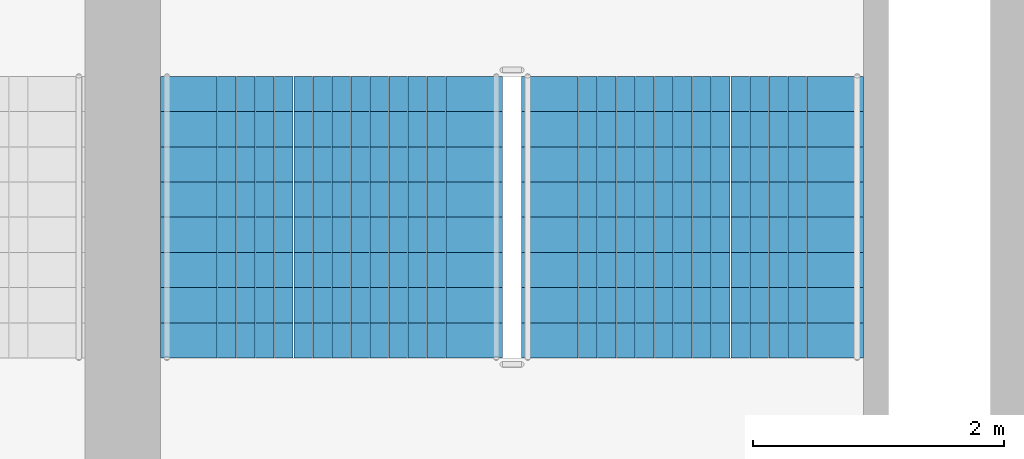
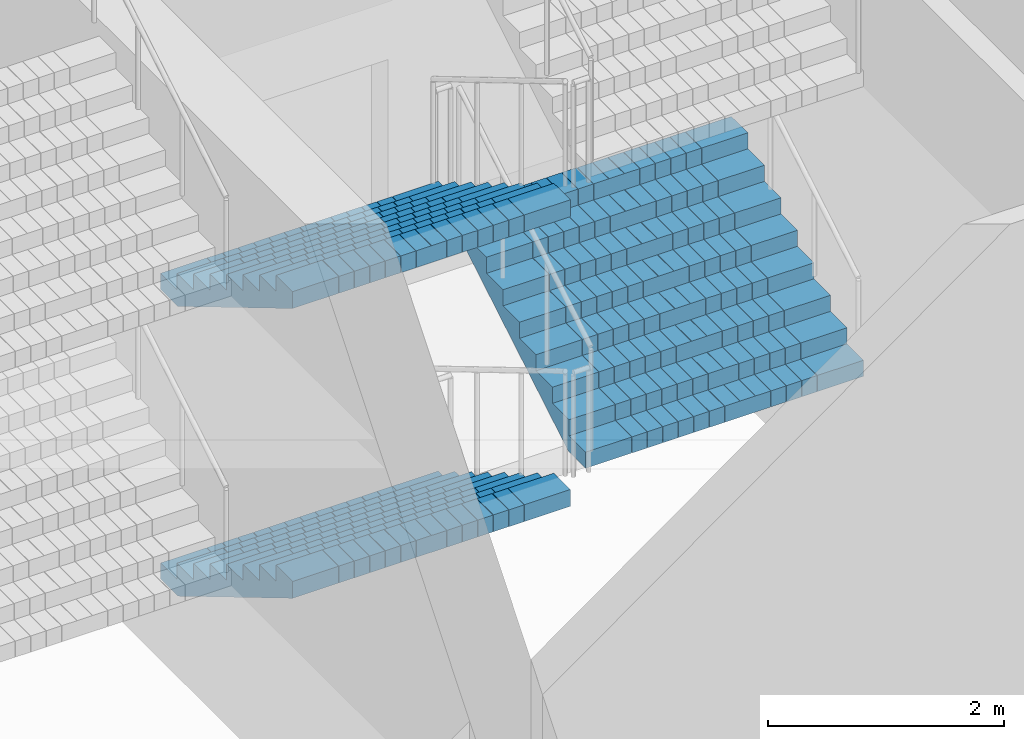
# One storey, part 27 of 43: 3 stair flights, 1 element without a shape of its own.
"""IFC4 building model written with IfcOpenShell, lengths in metres."""

from ifc_helpers import new_model, si_unit, direction, frame, origin, place, context, subcontext, project, spatial, polyline, outline, extrude, material, type_object, element, aggregate, save


model = new_model("IFC4")

# Units and contexts
model_context = context("Model", 3, precision=1e-05, world=origin(), true_north=direction((0.0, 1.0)))
body_context = subcontext(model_context, "Body", "Model", "MODEL_VIEW")
ifc_project = project(units=[si_unit("LENGTHUNIT", "METRE"), si_unit("AREAUNIT", "SQUARE_METRE"), si_unit("VOLUMEUNIT", "CUBIC_METRE"), si_unit("PLANEANGLEUNIT", "RADIAN"), si_unit("MASSUNIT", "GRAM", prefix="KILO")], contexts=[model_context])

# Site, building, storey
site_placement = place(None, origin())
site = spatial("IfcSite", under=ifc_project, at=site_placement, CompositionType="ELEMENT")
building_placement = place(site_placement, origin())
building = spatial("IfcBuilding", under=site, at=building_placement, Name="Corbelhall Arena Tower", CompositionType="ELEMENT")
storey_placement = place(building_placement, frame((0.0, 0.0, 25.0)))
storey = spatial("IfcBuildingStorey", under=building, at=storey_placement, Name="L03", CompositionType="ELEMENT", Elevation=25.0)

# Stair, stair flights
ifc_material = material(Name="Reinforced concrete C40/50", Category="concrete")
stair_type = type_object("IfcStairType", Name="AR-EXIT-STAIR", PredefinedType="HALF_TURN_STAIR", material=ifc_material)
stair_placement = place(storey_placement, origin())
stair = element("IfcStair", 1, at=stair_placement, inside=storey, type_object=stair_type, Name="L03 exit stair AS6", PredefinedType="HALF_TURN_STAIR")
stair_flight_type = type_object("IfcStairFlightType", Name="AR-EXIT-FLIGHT", PredefinedType="STRAIGHT", material=ifc_material)
stair_flight_1_placement = place(storey_placement, frame((42.159912109375, -27.320068359375, 0.0), z_axis=(0.0, 0.0, 1.0), x_axis=(0.0, -1.0, 0.0)))
stair_flight_1 = element("IfcStairFlight", 2, at=stair_flight_1_placement, type_object=stair_flight_type, Name="AS6 flight 1", NumberOfRisers=9, NumberOfTreads=8, PredefinedType="STRAIGHT", RiserHeight=0.166666667, TreadLength=0.28, context=body_context, shape_type="SweptSolid", body=[
    extrude(outline(polyline([(0.0, 0.0), (0.0, 0.166748046875), (0.280029296875, 0.166748046875), (0.280029296875, 0.333251953125), (0.56005859375, 0.333251953125), (0.56005859375, 0.5), (0.840087890625, 0.5), (0.840087890625, 0.666748046875), (1.1201171875, 0.666748046875), (1.1201171875, 0.833251953125), (1.39990234375, 0.833251953125), (1.39990234375, 1.0), (1.679931640625, 1.0), (1.679931640625, 1.166748046875), (1.9599609375, 1.166748046875), (1.9599609375, 1.333251953125), (2.239990234375, 1.333251953125), (2.239990234375, 1.5), (2.239990234375, 1.158935546875), (0.29296875, 0.0), (0.0, 0.0)])), frame((0.0, 1.35986328125, 0.0), z_axis=(0.0, -1.0, 0.0), x_axis=(1.0, 0.0, 0.0)), (0.0, 0.0, 1.0), 0.449951171875),
    extrude(outline(polyline([(0.0, 0.0), (0.0, 0.166748046875), (0.280029296875, 0.166748046875), (0.280029296875, 0.333251953125), (0.56005859375, 0.333251953125), (0.56005859375, 0.5), (0.840087890625, 0.5), (0.840087890625, 0.666748046875), (1.1201171875, 0.666748046875), (1.1201171875, 0.833251953125), (1.39990234375, 0.833251953125), (1.39990234375, 1.0), (1.679931640625, 1.0), (1.679931640625, 1.166748046875), (1.9599609375, 1.166748046875), (1.9599609375, 1.333251953125), (2.239990234375, 1.333251953125), (2.239990234375, 1.5), (2.239990234375, 1.158935546875), (0.29296875, 0.0), (0.0, 0.0)])), frame((0.0, 0.906005859375, 0.0), z_axis=(0.0, -1.0, 0.0), x_axis=(1.0, 0.0, 0.0)), (0.0, 0.0, 1.0), 0.147216796875),
    extrude(outline(polyline([(0.0, 0.0), (0.0, 0.166748046875), (0.280029296875, 0.166748046875), (0.280029296875, 0.333251953125), (0.56005859375, 0.333251953125), (0.56005859375, 0.5), (0.840087890625, 0.5), (0.840087890625, 0.666748046875), (1.1201171875, 0.666748046875), (1.1201171875, 0.833251953125), (1.39990234375, 0.833251953125), (1.39990234375, 1.0), (1.679931640625, 1.0), (1.679931640625, 1.166748046875), (1.9599609375, 1.166748046875), (1.9599609375, 1.333251953125), (2.239990234375, 1.333251953125), (2.239990234375, 1.5), (2.239990234375, 1.158935546875), (0.29296875, 0.0), (0.0, 0.0)])), frame((0.0, 0.754638671875, 0.0), z_axis=(0.0, -1.0, 0.0), x_axis=(1.0, 0.0, 0.0)), (0.0, 0.0, 1.0), 0.147216796875),
    extrude(outline(polyline([(0.0, 0.0), (0.0, 0.166748046875), (0.280029296875, 0.166748046875), (0.280029296875, 0.333251953125), (0.56005859375, 0.333251953125), (0.56005859375, 0.5), (0.840087890625, 0.5), (0.840087890625, 0.666748046875), (1.1201171875, 0.666748046875), (1.1201171875, 0.833251953125), (1.39990234375, 0.833251953125), (1.39990234375, 1.0), (1.679931640625, 1.0), (1.679931640625, 1.166748046875), (1.9599609375, 1.166748046875), (1.9599609375, 1.333251953125), (2.239990234375, 1.333251953125), (2.239990234375, 1.5), (2.239990234375, 1.158935546875), (0.29296875, 0.0), (0.0, 0.0)])), frame((0.0, 0.603271484375, 0.0), z_axis=(0.0, -1.0, 0.0), x_axis=(1.0, 0.0, 0.0)), (0.0, 0.0, 1.0), 0.147216796875),
    extrude(outline(polyline([(0.0, 0.0), (0.0, 0.166748046875), (0.280029296875, 0.166748046875), (0.280029296875, 0.333251953125), (0.56005859375, 0.333251953125), (0.56005859375, 0.5), (0.840087890625, 0.5), (0.840087890625, 0.666748046875), (1.1201171875, 0.666748046875), (1.1201171875, 0.833251953125), (1.39990234375, 0.833251953125), (1.39990234375, 1.0), (1.679931640625, 1.0), (1.679931640625, 1.166748046875), (1.9599609375, 1.166748046875), (1.9599609375, 1.333251953125), (2.239990234375, 1.333251953125), (2.239990234375, 1.5), (2.239990234375, 1.158935546875), (0.29296875, 0.0), (0.0, 0.0)])), frame((0.0, 0.451904296875, 0.0), z_axis=(0.0, -1.0, 0.0), x_axis=(1.0, 0.0, 0.0)), (0.0, 0.0, 1.0), 0.147216796875),
    extrude(outline(polyline([(0.0, 0.0), (0.0, 0.166748046875), (0.280029296875, 0.166748046875), (0.280029296875, 0.333251953125), (0.56005859375, 0.333251953125), (0.56005859375, 0.5), (0.840087890625, 0.5), (0.840087890625, 0.666748046875), (1.1201171875, 0.666748046875), (1.1201171875, 0.833251953125), (1.39990234375, 0.833251953125), (1.39990234375, 1.0), (1.679931640625, 1.0), (1.679931640625, 1.166748046875), (1.9599609375, 1.166748046875), (1.9599609375, 1.333251953125), (2.239990234375, 1.333251953125), (2.239990234375, 1.5), (2.239990234375, 1.158935546875), (0.29296875, 0.0), (0.0, 0.0)])), frame((0.0, 0.30078125, 0.0), z_axis=(0.0, -1.0, 0.0), x_axis=(1.0, 0.0, 0.0)), (0.0, 0.0, 1.0), 0.147216796875),
    extrude(outline(polyline([(0.0, 0.0), (0.0, 0.166748046875), (0.280029296875, 0.166748046875), (0.280029296875, 0.333251953125), (0.56005859375, 0.333251953125), (0.56005859375, 0.5), (0.840087890625, 0.5), (0.840087890625, 0.666748046875), (1.1201171875, 0.666748046875), (1.1201171875, 0.833251953125), (1.39990234375, 0.833251953125), (1.39990234375, 1.0), (1.679931640625, 1.0), (1.679931640625, 1.166748046875), (1.9599609375, 1.166748046875), (1.9599609375, 1.333251953125), (2.239990234375, 1.333251953125), (2.239990234375, 1.5), (2.239990234375, 1.158935546875), (0.29296875, 0.0), (0.0, 0.0)])), frame((0.0, 0.1494140625, 0.0), z_axis=(0.0, -1.0, 0.0), x_axis=(1.0, 0.0, 0.0)), (0.0, 0.0, 1.0), 0.147216796875),
    extrude(outline(polyline([(0.0, 0.0), (0.0, 0.166748046875), (0.280029296875, 0.166748046875), (0.280029296875, 0.333251953125), (0.56005859375, 0.333251953125), (0.56005859375, 0.5), (0.840087890625, 0.5), (0.840087890625, 0.666748046875), (1.1201171875, 0.666748046875), (1.1201171875, 0.833251953125), (1.39990234375, 0.833251953125), (1.39990234375, 1.0), (1.679931640625, 1.0), (1.679931640625, 1.166748046875), (1.9599609375, 1.166748046875), (1.9599609375, 1.333251953125), (2.239990234375, 1.333251953125), (2.239990234375, 1.5), (2.239990234375, 1.158935546875), (0.29296875, 0.0), (0.0, 0.0)])), frame((0.0, -0.001953125, 0.0), z_axis=(0.0, -1.0, 0.0), x_axis=(1.0, 0.0, 0.0)), (0.0, 0.0, 1.0), 0.147216796875),
    extrude(outline(polyline([(0.0, 0.0), (0.0, 0.166748046875), (0.280029296875, 0.166748046875), (0.280029296875, 0.333251953125), (0.56005859375, 0.333251953125), (0.56005859375, 0.5), (0.840087890625, 0.5), (0.840087890625, 0.666748046875), (1.1201171875, 0.666748046875), (1.1201171875, 0.833251953125), (1.39990234375, 0.833251953125), (1.39990234375, 1.0), (1.679931640625, 1.0), (1.679931640625, 1.166748046875), (1.9599609375, 1.166748046875), (1.9599609375, 1.333251953125), (2.239990234375, 1.333251953125), (2.239990234375, 1.5), (2.239990234375, 1.158935546875), (0.29296875, 0.0), (0.0, 0.0)])), frame((0.0, -0.1533203125, 0.0), z_axis=(0.0, -1.0, 0.0), x_axis=(1.0, 0.0, 0.0)), (0.0, 0.0, 1.0), 0.147216796875),
    extrude(outline(polyline([(0.0, 0.0), (0.0, 0.166748046875), (0.280029296875, 0.166748046875), (0.280029296875, 0.333251953125), (0.56005859375, 0.333251953125), (0.56005859375, 0.5), (0.840087890625, 0.5), (0.840087890625, 0.666748046875), (1.1201171875, 0.666748046875), (1.1201171875, 0.833251953125), (1.39990234375, 0.833251953125), (1.39990234375, 1.0), (1.679931640625, 1.0), (1.679931640625, 1.166748046875), (1.9599609375, 1.166748046875), (1.9599609375, 1.333251953125), (2.239990234375, 1.333251953125), (2.239990234375, 1.5), (2.239990234375, 1.158935546875), (0.29296875, 0.0), (0.0, 0.0)])), frame((0.0, -0.3046875, 0.0), z_axis=(0.0, -1.0, 0.0), x_axis=(1.0, 0.0, 0.0)), (0.0, 0.0, 1.0), 0.147216796875),
    extrude(outline(polyline([(0.0, 0.0), (0.0, 0.166748046875), (0.280029296875, 0.166748046875), (0.280029296875, 0.333251953125), (0.56005859375, 0.333251953125), (0.56005859375, 0.5), (0.840087890625, 0.5), (0.840087890625, 0.666748046875), (1.1201171875, 0.666748046875), (1.1201171875, 0.833251953125), (1.39990234375, 0.833251953125), (1.39990234375, 1.0), (1.679931640625, 1.0), (1.679931640625, 1.166748046875), (1.9599609375, 1.166748046875), (1.9599609375, 1.333251953125), (2.239990234375, 1.333251953125), (2.239990234375, 1.5), (2.239990234375, 1.158935546875), (0.29296875, 0.0), (0.0, 0.0)])), frame((0.0, -0.4560546875, 0.0), z_axis=(0.0, -1.0, 0.0), x_axis=(1.0, 0.0, 0.0)), (0.0, 0.0, 1.0), 0.147216796875),
    extrude(outline(polyline([(0.0, 0.0), (0.0, 0.166748046875), (0.280029296875, 0.166748046875), (0.280029296875, 0.333251953125), (0.56005859375, 0.333251953125), (0.56005859375, 0.5), (0.840087890625, 0.5), (0.840087890625, 0.666748046875), (1.1201171875, 0.666748046875), (1.1201171875, 0.833251953125), (1.39990234375, 0.833251953125), (1.39990234375, 1.0), (1.679931640625, 1.0), (1.679931640625, 1.166748046875), (1.9599609375, 1.166748046875), (1.9599609375, 1.333251953125), (2.239990234375, 1.333251953125), (2.239990234375, 1.5), (2.239990234375, 1.158935546875), (0.29296875, 0.0), (0.0, 0.0)])), frame((0.0, -0.607421875, 0.0), z_axis=(0.0, -1.0, 0.0), x_axis=(1.0, 0.0, 0.0)), (0.0, 0.0, 1.0), 0.147216796875),
    extrude(outline(polyline([(0.0, 0.0), (0.0, 0.166748046875), (0.280029296875, 0.166748046875), (0.280029296875, 0.333251953125), (0.56005859375, 0.333251953125), (0.56005859375, 0.5), (0.840087890625, 0.5), (0.840087890625, 0.666748046875), (1.1201171875, 0.666748046875), (1.1201171875, 0.833251953125), (1.39990234375, 0.833251953125), (1.39990234375, 1.0), (1.679931640625, 1.0), (1.679931640625, 1.166748046875), (1.9599609375, 1.166748046875), (1.9599609375, 1.333251953125), (2.239990234375, 1.333251953125), (2.239990234375, 1.5), (2.239990234375, 1.158935546875), (0.29296875, 0.0), (0.0, 0.0)])), frame((0.0, -0.758544921875, 0.0), z_axis=(0.0, -1.0, 0.0), x_axis=(1.0, 0.0, 0.0)), (0.0, 0.0, 1.0), 0.147216796875),
    extrude(outline(polyline([(0.0, 0.0), (0.0, 0.166748046875), (0.280029296875, 0.166748046875), (0.280029296875, 0.333251953125), (0.56005859375, 0.333251953125), (0.56005859375, 0.5), (0.840087890625, 0.5), (0.840087890625, 0.666748046875), (1.1201171875, 0.666748046875), (1.1201171875, 0.833251953125), (1.39990234375, 0.833251953125), (1.39990234375, 1.0), (1.679931640625, 1.0), (1.679931640625, 1.166748046875), (1.9599609375, 1.166748046875), (1.9599609375, 1.333251953125), (2.239990234375, 1.333251953125), (2.239990234375, 1.5), (2.239990234375, 1.158935546875), (0.29296875, 0.0), (0.0, 0.0)])), frame((0.0, -0.909912109375, 0.0), z_axis=(0.0, -1.0, 0.0), x_axis=(1.0, 0.0, 0.0)), (0.0, 0.0, 1.0), 0.449951171875),
])
stair_flight_2_placement = place(storey_placement, frame((45.030029296875, -29.56005859375, 1.5), z_axis=(0.0, 0.0, 1.0), x_axis=(0.0, 1.0, 0.0)))
stair_flight_2 = element("IfcStairFlight", 3, at=stair_flight_2_placement, type_object=stair_flight_type, Name="AS6 flight 2", NumberOfRisers=9, NumberOfTreads=8, PredefinedType="STRAIGHT", RiserHeight=0.166666667, TreadLength=0.28, context=body_context, shape_type="SweptSolid", body=[
    extrude(outline(polyline([(0.0, 0.0), (0.0, 0.166748046875), (0.280029296875, 0.166748046875), (0.280029296875, 0.333251953125), (0.56005859375, 0.333251953125), (0.56005859375, 0.5), (0.840087890625, 0.5), (0.840087890625, 0.666748046875), (1.1201171875, 0.666748046875), (1.1201171875, 0.833251953125), (1.39990234375, 0.833251953125), (1.39990234375, 1.0), (1.679931640625, 1.0), (1.679931640625, 1.166748046875), (1.9599609375, 1.166748046875), (1.9599609375, 1.333251953125), (2.239990234375, 1.333251953125), (2.239990234375, 1.5), (2.239990234375, 1.158935546875), (0.29296875, 0.0), (0.0, 0.0)])), frame((0.0, 1.35986328125, 0.0), z_axis=(0.0, -1.0, 0.0), x_axis=(1.0, 0.0, 0.0)), (0.0, 0.0, 1.0), 0.449951171875),
    extrude(outline(polyline([(0.0, 0.0), (0.0, 0.166748046875), (0.280029296875, 0.166748046875), (0.280029296875, 0.333251953125), (0.56005859375, 0.333251953125), (0.56005859375, 0.5), (0.840087890625, 0.5), (0.840087890625, 0.666748046875), (1.1201171875, 0.666748046875), (1.1201171875, 0.833251953125), (1.39990234375, 0.833251953125), (1.39990234375, 1.0), (1.679931640625, 1.0), (1.679931640625, 1.166748046875), (1.9599609375, 1.166748046875), (1.9599609375, 1.333251953125), (2.239990234375, 1.333251953125), (2.239990234375, 1.5), (2.239990234375, 1.158935546875), (0.29296875, 0.0), (0.0, 0.0)])), frame((0.0, 0.906005859375, 0.0), z_axis=(0.0, -1.0, 0.0), x_axis=(1.0, 0.0, 0.0)), (0.0, 0.0, 1.0), 0.147216796875),
    extrude(outline(polyline([(0.0, 0.0), (0.0, 0.166748046875), (0.280029296875, 0.166748046875), (0.280029296875, 0.333251953125), (0.56005859375, 0.333251953125), (0.56005859375, 0.5), (0.840087890625, 0.5), (0.840087890625, 0.666748046875), (1.1201171875, 0.666748046875), (1.1201171875, 0.833251953125), (1.39990234375, 0.833251953125), (1.39990234375, 1.0), (1.679931640625, 1.0), (1.679931640625, 1.166748046875), (1.9599609375, 1.166748046875), (1.9599609375, 1.333251953125), (2.239990234375, 1.333251953125), (2.239990234375, 1.5), (2.239990234375, 1.158935546875), (0.29296875, 0.0), (0.0, 0.0)])), frame((0.0, 0.754638671875, 0.0), z_axis=(0.0, -1.0, 0.0), x_axis=(1.0, 0.0, 0.0)), (0.0, 0.0, 1.0), 0.147216796875),
    extrude(outline(polyline([(0.0, 0.0), (0.0, 0.166748046875), (0.280029296875, 0.166748046875), (0.280029296875, 0.333251953125), (0.56005859375, 0.333251953125), (0.56005859375, 0.5), (0.840087890625, 0.5), (0.840087890625, 0.666748046875), (1.1201171875, 0.666748046875), (1.1201171875, 0.833251953125), (1.39990234375, 0.833251953125), (1.39990234375, 1.0), (1.679931640625, 1.0), (1.679931640625, 1.166748046875), (1.9599609375, 1.166748046875), (1.9599609375, 1.333251953125), (2.239990234375, 1.333251953125), (2.239990234375, 1.5), (2.239990234375, 1.158935546875), (0.29296875, 0.0), (0.0, 0.0)])), frame((0.0, 0.603271484375, 0.0), z_axis=(0.0, -1.0, 0.0), x_axis=(1.0, 0.0, 0.0)), (0.0, 0.0, 1.0), 0.147216796875),
    extrude(outline(polyline([(0.0, 0.0), (0.0, 0.166748046875), (0.280029296875, 0.166748046875), (0.280029296875, 0.333251953125), (0.56005859375, 0.333251953125), (0.56005859375, 0.5), (0.840087890625, 0.5), (0.840087890625, 0.666748046875), (1.1201171875, 0.666748046875), (1.1201171875, 0.833251953125), (1.39990234375, 0.833251953125), (1.39990234375, 1.0), (1.679931640625, 1.0), (1.679931640625, 1.166748046875), (1.9599609375, 1.166748046875), (1.9599609375, 1.333251953125), (2.239990234375, 1.333251953125), (2.239990234375, 1.5), (2.239990234375, 1.158935546875), (0.29296875, 0.0), (0.0, 0.0)])), frame((0.0, 0.451904296875, 0.0), z_axis=(0.0, -1.0, 0.0), x_axis=(1.0, 0.0, 0.0)), (0.0, 0.0, 1.0), 0.147216796875),
    extrude(outline(polyline([(0.0, 0.0), (0.0, 0.166748046875), (0.280029296875, 0.166748046875), (0.280029296875, 0.333251953125), (0.56005859375, 0.333251953125), (0.56005859375, 0.5), (0.840087890625, 0.5), (0.840087890625, 0.666748046875), (1.1201171875, 0.666748046875), (1.1201171875, 0.833251953125), (1.39990234375, 0.833251953125), (1.39990234375, 1.0), (1.679931640625, 1.0), (1.679931640625, 1.166748046875), (1.9599609375, 1.166748046875), (1.9599609375, 1.333251953125), (2.239990234375, 1.333251953125), (2.239990234375, 1.5), (2.239990234375, 1.158935546875), (0.29296875, 0.0), (0.0, 0.0)])), frame((0.0, 0.30078125, 0.0), z_axis=(0.0, -1.0, 0.0), x_axis=(1.0, 0.0, 0.0)), (0.0, 0.0, 1.0), 0.147216796875),
    extrude(outline(polyline([(0.0, 0.0), (0.0, 0.166748046875), (0.280029296875, 0.166748046875), (0.280029296875, 0.333251953125), (0.56005859375, 0.333251953125), (0.56005859375, 0.5), (0.840087890625, 0.5), (0.840087890625, 0.666748046875), (1.1201171875, 0.666748046875), (1.1201171875, 0.833251953125), (1.39990234375, 0.833251953125), (1.39990234375, 1.0), (1.679931640625, 1.0), (1.679931640625, 1.166748046875), (1.9599609375, 1.166748046875), (1.9599609375, 1.333251953125), (2.239990234375, 1.333251953125), (2.239990234375, 1.5), (2.239990234375, 1.158935546875), (0.29296875, 0.0), (0.0, 0.0)])), frame((0.0, 0.1494140625, 0.0), z_axis=(0.0, -1.0, 0.0), x_axis=(1.0, 0.0, 0.0)), (0.0, 0.0, 1.0), 0.147216796875),
    extrude(outline(polyline([(0.0, 0.0), (0.0, 0.166748046875), (0.280029296875, 0.166748046875), (0.280029296875, 0.333251953125), (0.56005859375, 0.333251953125), (0.56005859375, 0.5), (0.840087890625, 0.5), (0.840087890625, 0.666748046875), (1.1201171875, 0.666748046875), (1.1201171875, 0.833251953125), (1.39990234375, 0.833251953125), (1.39990234375, 1.0), (1.679931640625, 1.0), (1.679931640625, 1.166748046875), (1.9599609375, 1.166748046875), (1.9599609375, 1.333251953125), (2.239990234375, 1.333251953125), (2.239990234375, 1.5), (2.239990234375, 1.158935546875), (0.29296875, 0.0), (0.0, 0.0)])), frame((0.0, -0.001953125, 0.0), z_axis=(0.0, -1.0, 0.0), x_axis=(1.0, 0.0, 0.0)), (0.0, 0.0, 1.0), 0.147216796875),
    extrude(outline(polyline([(0.0, 0.0), (0.0, 0.166748046875), (0.280029296875, 0.166748046875), (0.280029296875, 0.333251953125), (0.56005859375, 0.333251953125), (0.56005859375, 0.5), (0.840087890625, 0.5), (0.840087890625, 0.666748046875), (1.1201171875, 0.666748046875), (1.1201171875, 0.833251953125), (1.39990234375, 0.833251953125), (1.39990234375, 1.0), (1.679931640625, 1.0), (1.679931640625, 1.166748046875), (1.9599609375, 1.166748046875), (1.9599609375, 1.333251953125), (2.239990234375, 1.333251953125), (2.239990234375, 1.5), (2.239990234375, 1.158935546875), (0.29296875, 0.0), (0.0, 0.0)])), frame((0.0, -0.1533203125, 0.0), z_axis=(0.0, -1.0, 0.0), x_axis=(1.0, 0.0, 0.0)), (0.0, 0.0, 1.0), 0.147216796875),
    extrude(outline(polyline([(0.0, 0.0), (0.0, 0.166748046875), (0.280029296875, 0.166748046875), (0.280029296875, 0.333251953125), (0.56005859375, 0.333251953125), (0.56005859375, 0.5), (0.840087890625, 0.5), (0.840087890625, 0.666748046875), (1.1201171875, 0.666748046875), (1.1201171875, 0.833251953125), (1.39990234375, 0.833251953125), (1.39990234375, 1.0), (1.679931640625, 1.0), (1.679931640625, 1.166748046875), (1.9599609375, 1.166748046875), (1.9599609375, 1.333251953125), (2.239990234375, 1.333251953125), (2.239990234375, 1.5), (2.239990234375, 1.158935546875), (0.29296875, 0.0), (0.0, 0.0)])), frame((0.0, -0.3046875, 0.0), z_axis=(0.0, -1.0, 0.0), x_axis=(1.0, 0.0, 0.0)), (0.0, 0.0, 1.0), 0.147216796875),
    extrude(outline(polyline([(0.0, 0.0), (0.0, 0.166748046875), (0.280029296875, 0.166748046875), (0.280029296875, 0.333251953125), (0.56005859375, 0.333251953125), (0.56005859375, 0.5), (0.840087890625, 0.5), (0.840087890625, 0.666748046875), (1.1201171875, 0.666748046875), (1.1201171875, 0.833251953125), (1.39990234375, 0.833251953125), (1.39990234375, 1.0), (1.679931640625, 1.0), (1.679931640625, 1.166748046875), (1.9599609375, 1.166748046875), (1.9599609375, 1.333251953125), (2.239990234375, 1.333251953125), (2.239990234375, 1.5), (2.239990234375, 1.158935546875), (0.29296875, 0.0), (0.0, 0.0)])), frame((0.0, -0.4560546875, 0.0), z_axis=(0.0, -1.0, 0.0), x_axis=(1.0, 0.0, 0.0)), (0.0, 0.0, 1.0), 0.147216796875),
    extrude(outline(polyline([(0.0, 0.0), (0.0, 0.166748046875), (0.280029296875, 0.166748046875), (0.280029296875, 0.333251953125), (0.56005859375, 0.333251953125), (0.56005859375, 0.5), (0.840087890625, 0.5), (0.840087890625, 0.666748046875), (1.1201171875, 0.666748046875), (1.1201171875, 0.833251953125), (1.39990234375, 0.833251953125), (1.39990234375, 1.0), (1.679931640625, 1.0), (1.679931640625, 1.166748046875), (1.9599609375, 1.166748046875), (1.9599609375, 1.333251953125), (2.239990234375, 1.333251953125), (2.239990234375, 1.5), (2.239990234375, 1.158935546875), (0.29296875, 0.0), (0.0, 0.0)])), frame((0.0, -0.607421875, 0.0), z_axis=(0.0, -1.0, 0.0), x_axis=(1.0, 0.0, 0.0)), (0.0, 0.0, 1.0), 0.147216796875),
    extrude(outline(polyline([(0.0, 0.0), (0.0, 0.166748046875), (0.280029296875, 0.166748046875), (0.280029296875, 0.333251953125), (0.56005859375, 0.333251953125), (0.56005859375, 0.5), (0.840087890625, 0.5), (0.840087890625, 0.666748046875), (1.1201171875, 0.666748046875), (1.1201171875, 0.833251953125), (1.39990234375, 0.833251953125), (1.39990234375, 1.0), (1.679931640625, 1.0), (1.679931640625, 1.166748046875), (1.9599609375, 1.166748046875), (1.9599609375, 1.333251953125), (2.239990234375, 1.333251953125), (2.239990234375, 1.5), (2.239990234375, 1.158935546875), (0.29296875, 0.0), (0.0, 0.0)])), frame((0.0, -0.758544921875, 0.0), z_axis=(0.0, -1.0, 0.0), x_axis=(1.0, 0.0, 0.0)), (0.0, 0.0, 1.0), 0.147216796875),
    extrude(outline(polyline([(0.0, 0.0), (0.0, 0.166748046875), (0.280029296875, 0.166748046875), (0.280029296875, 0.333251953125), (0.56005859375, 0.333251953125), (0.56005859375, 0.5), (0.840087890625, 0.5), (0.840087890625, 0.666748046875), (1.1201171875, 0.666748046875), (1.1201171875, 0.833251953125), (1.39990234375, 0.833251953125), (1.39990234375, 1.0), (1.679931640625, 1.0), (1.679931640625, 1.166748046875), (1.9599609375, 1.166748046875), (1.9599609375, 1.333251953125), (2.239990234375, 1.333251953125), (2.239990234375, 1.5), (2.239990234375, 1.158935546875), (0.29296875, 0.0), (0.0, 0.0)])), frame((0.0, -0.909912109375, 0.0), z_axis=(0.0, -1.0, 0.0), x_axis=(1.0, 0.0, 0.0)), (0.0, 0.0, 1.0), 0.449951171875),
])
stair_flight_3_placement = place(storey_placement, frame((42.159912109375, -27.320068359375, 3.0), z_axis=(0.0, 0.0, 1.0), x_axis=(0.0, -1.0, 0.0)))
stair_flight_3 = element("IfcStairFlight", 4, at=stair_flight_3_placement, type_object=stair_flight_type, Name="AS6 flight 3", NumberOfRisers=9, NumberOfTreads=8, PredefinedType="STRAIGHT", RiserHeight=0.166666667, TreadLength=0.28, context=body_context, shape_type="SweptSolid", body=[
    extrude(outline(polyline([(0.0, 0.0), (0.0, 0.166748046875), (0.280029296875, 0.166748046875), (0.280029296875, 0.333251953125), (0.56005859375, 0.333251953125), (0.56005859375, 0.5), (0.840087890625, 0.5), (0.840087890625, 0.666748046875), (1.1201171875, 0.666748046875), (1.1201171875, 0.833251953125), (1.39990234375, 0.833251953125), (1.39990234375, 1.0), (1.679931640625, 1.0), (1.679931640625, 1.166748046875), (1.9599609375, 1.166748046875), (1.9599609375, 1.333251953125), (2.239990234375, 1.333251953125), (2.239990234375, 1.5), (2.239990234375, 1.158935546875), (0.29296875, 0.0), (0.0, 0.0)])), frame((0.0, 1.35986328125, 0.0), z_axis=(0.0, -1.0, 0.0), x_axis=(1.0, 0.0, 0.0)), (0.0, 0.0, 1.0), 0.449951171875),
    extrude(outline(polyline([(0.0, 0.0), (0.0, 0.166748046875), (0.280029296875, 0.166748046875), (0.280029296875, 0.333251953125), (0.56005859375, 0.333251953125), (0.56005859375, 0.5), (0.840087890625, 0.5), (0.840087890625, 0.666748046875), (1.1201171875, 0.666748046875), (1.1201171875, 0.833251953125), (1.39990234375, 0.833251953125), (1.39990234375, 1.0), (1.679931640625, 1.0), (1.679931640625, 1.166748046875), (1.9599609375, 1.166748046875), (1.9599609375, 1.333251953125), (2.239990234375, 1.333251953125), (2.239990234375, 1.5), (2.239990234375, 1.158935546875), (0.29296875, 0.0), (0.0, 0.0)])), frame((0.0, 0.906005859375, 0.0), z_axis=(0.0, -1.0, 0.0), x_axis=(1.0, 0.0, 0.0)), (0.0, 0.0, 1.0), 0.147216796875),
    extrude(outline(polyline([(0.0, 0.0), (0.0, 0.166748046875), (0.280029296875, 0.166748046875), (0.280029296875, 0.333251953125), (0.56005859375, 0.333251953125), (0.56005859375, 0.5), (0.840087890625, 0.5), (0.840087890625, 0.666748046875), (1.1201171875, 0.666748046875), (1.1201171875, 0.833251953125), (1.39990234375, 0.833251953125), (1.39990234375, 1.0), (1.679931640625, 1.0), (1.679931640625, 1.166748046875), (1.9599609375, 1.166748046875), (1.9599609375, 1.333251953125), (2.239990234375, 1.333251953125), (2.239990234375, 1.5), (2.239990234375, 1.158935546875), (0.29296875, 0.0), (0.0, 0.0)])), frame((0.0, 0.754638671875, 0.0), z_axis=(0.0, -1.0, 0.0), x_axis=(1.0, 0.0, 0.0)), (0.0, 0.0, 1.0), 0.147216796875),
    extrude(outline(polyline([(0.0, 0.0), (0.0, 0.166748046875), (0.280029296875, 0.166748046875), (0.280029296875, 0.333251953125), (0.56005859375, 0.333251953125), (0.56005859375, 0.5), (0.840087890625, 0.5), (0.840087890625, 0.666748046875), (1.1201171875, 0.666748046875), (1.1201171875, 0.833251953125), (1.39990234375, 0.833251953125), (1.39990234375, 1.0), (1.679931640625, 1.0), (1.679931640625, 1.166748046875), (1.9599609375, 1.166748046875), (1.9599609375, 1.333251953125), (2.239990234375, 1.333251953125), (2.239990234375, 1.5), (2.239990234375, 1.158935546875), (0.29296875, 0.0), (0.0, 0.0)])), frame((0.0, 0.603271484375, 0.0), z_axis=(0.0, -1.0, 0.0), x_axis=(1.0, 0.0, 0.0)), (0.0, 0.0, 1.0), 0.147216796875),
    extrude(outline(polyline([(0.0, 0.0), (0.0, 0.166748046875), (0.280029296875, 0.166748046875), (0.280029296875, 0.333251953125), (0.56005859375, 0.333251953125), (0.56005859375, 0.5), (0.840087890625, 0.5), (0.840087890625, 0.666748046875), (1.1201171875, 0.666748046875), (1.1201171875, 0.833251953125), (1.39990234375, 0.833251953125), (1.39990234375, 1.0), (1.679931640625, 1.0), (1.679931640625, 1.166748046875), (1.9599609375, 1.166748046875), (1.9599609375, 1.333251953125), (2.239990234375, 1.333251953125), (2.239990234375, 1.5), (2.239990234375, 1.158935546875), (0.29296875, 0.0), (0.0, 0.0)])), frame((0.0, 0.451904296875, 0.0), z_axis=(0.0, -1.0, 0.0), x_axis=(1.0, 0.0, 0.0)), (0.0, 0.0, 1.0), 0.147216796875),
    extrude(outline(polyline([(0.0, 0.0), (0.0, 0.166748046875), (0.280029296875, 0.166748046875), (0.280029296875, 0.333251953125), (0.56005859375, 0.333251953125), (0.56005859375, 0.5), (0.840087890625, 0.5), (0.840087890625, 0.666748046875), (1.1201171875, 0.666748046875), (1.1201171875, 0.833251953125), (1.39990234375, 0.833251953125), (1.39990234375, 1.0), (1.679931640625, 1.0), (1.679931640625, 1.166748046875), (1.9599609375, 1.166748046875), (1.9599609375, 1.333251953125), (2.239990234375, 1.333251953125), (2.239990234375, 1.5), (2.239990234375, 1.158935546875), (0.29296875, 0.0), (0.0, 0.0)])), frame((0.0, 0.30078125, 0.0), z_axis=(0.0, -1.0, 0.0), x_axis=(1.0, 0.0, 0.0)), (0.0, 0.0, 1.0), 0.147216796875),
    extrude(outline(polyline([(0.0, 0.0), (0.0, 0.166748046875), (0.280029296875, 0.166748046875), (0.280029296875, 0.333251953125), (0.56005859375, 0.333251953125), (0.56005859375, 0.5), (0.840087890625, 0.5), (0.840087890625, 0.666748046875), (1.1201171875, 0.666748046875), (1.1201171875, 0.833251953125), (1.39990234375, 0.833251953125), (1.39990234375, 1.0), (1.679931640625, 1.0), (1.679931640625, 1.166748046875), (1.9599609375, 1.166748046875), (1.9599609375, 1.333251953125), (2.239990234375, 1.333251953125), (2.239990234375, 1.5), (2.239990234375, 1.158935546875), (0.29296875, 0.0), (0.0, 0.0)])), frame((0.0, 0.1494140625, 0.0), z_axis=(0.0, -1.0, 0.0), x_axis=(1.0, 0.0, 0.0)), (0.0, 0.0, 1.0), 0.147216796875),
    extrude(outline(polyline([(0.0, 0.0), (0.0, 0.166748046875), (0.280029296875, 0.166748046875), (0.280029296875, 0.333251953125), (0.56005859375, 0.333251953125), (0.56005859375, 0.5), (0.840087890625, 0.5), (0.840087890625, 0.666748046875), (1.1201171875, 0.666748046875), (1.1201171875, 0.833251953125), (1.39990234375, 0.833251953125), (1.39990234375, 1.0), (1.679931640625, 1.0), (1.679931640625, 1.166748046875), (1.9599609375, 1.166748046875), (1.9599609375, 1.333251953125), (2.239990234375, 1.333251953125), (2.239990234375, 1.5), (2.239990234375, 1.158935546875), (0.29296875, 0.0), (0.0, 0.0)])), frame((0.0, -0.001953125, 0.0), z_axis=(0.0, -1.0, 0.0), x_axis=(1.0, 0.0, 0.0)), (0.0, 0.0, 1.0), 0.147216796875),
    extrude(outline(polyline([(0.0, 0.0), (0.0, 0.166748046875), (0.280029296875, 0.166748046875), (0.280029296875, 0.333251953125), (0.56005859375, 0.333251953125), (0.56005859375, 0.5), (0.840087890625, 0.5), (0.840087890625, 0.666748046875), (1.1201171875, 0.666748046875), (1.1201171875, 0.833251953125), (1.39990234375, 0.833251953125), (1.39990234375, 1.0), (1.679931640625, 1.0), (1.679931640625, 1.166748046875), (1.9599609375, 1.166748046875), (1.9599609375, 1.333251953125), (2.239990234375, 1.333251953125), (2.239990234375, 1.5), (2.239990234375, 1.158935546875), (0.29296875, 0.0), (0.0, 0.0)])), frame((0.0, -0.1533203125, 0.0), z_axis=(0.0, -1.0, 0.0), x_axis=(1.0, 0.0, 0.0)), (0.0, 0.0, 1.0), 0.147216796875),
    extrude(outline(polyline([(0.0, 0.0), (0.0, 0.166748046875), (0.280029296875, 0.166748046875), (0.280029296875, 0.333251953125), (0.56005859375, 0.333251953125), (0.56005859375, 0.5), (0.840087890625, 0.5), (0.840087890625, 0.666748046875), (1.1201171875, 0.666748046875), (1.1201171875, 0.833251953125), (1.39990234375, 0.833251953125), (1.39990234375, 1.0), (1.679931640625, 1.0), (1.679931640625, 1.166748046875), (1.9599609375, 1.166748046875), (1.9599609375, 1.333251953125), (2.239990234375, 1.333251953125), (2.239990234375, 1.5), (2.239990234375, 1.158935546875), (0.29296875, 0.0), (0.0, 0.0)])), frame((0.0, -0.3046875, 0.0), z_axis=(0.0, -1.0, 0.0), x_axis=(1.0, 0.0, 0.0)), (0.0, 0.0, 1.0), 0.147216796875),
    extrude(outline(polyline([(0.0, 0.0), (0.0, 0.166748046875), (0.280029296875, 0.166748046875), (0.280029296875, 0.333251953125), (0.56005859375, 0.333251953125), (0.56005859375, 0.5), (0.840087890625, 0.5), (0.840087890625, 0.666748046875), (1.1201171875, 0.666748046875), (1.1201171875, 0.833251953125), (1.39990234375, 0.833251953125), (1.39990234375, 1.0), (1.679931640625, 1.0), (1.679931640625, 1.166748046875), (1.9599609375, 1.166748046875), (1.9599609375, 1.333251953125), (2.239990234375, 1.333251953125), (2.239990234375, 1.5), (2.239990234375, 1.158935546875), (0.29296875, 0.0), (0.0, 0.0)])), frame((0.0, -0.4560546875, 0.0), z_axis=(0.0, -1.0, 0.0), x_axis=(1.0, 0.0, 0.0)), (0.0, 0.0, 1.0), 0.147216796875),
    extrude(outline(polyline([(0.0, 0.0), (0.0, 0.166748046875), (0.280029296875, 0.166748046875), (0.280029296875, 0.333251953125), (0.56005859375, 0.333251953125), (0.56005859375, 0.5), (0.840087890625, 0.5), (0.840087890625, 0.666748046875), (1.1201171875, 0.666748046875), (1.1201171875, 0.833251953125), (1.39990234375, 0.833251953125), (1.39990234375, 1.0), (1.679931640625, 1.0), (1.679931640625, 1.166748046875), (1.9599609375, 1.166748046875), (1.9599609375, 1.333251953125), (2.239990234375, 1.333251953125), (2.239990234375, 1.5), (2.239990234375, 1.158935546875), (0.29296875, 0.0), (0.0, 0.0)])), frame((0.0, -0.607421875, 0.0), z_axis=(0.0, -1.0, 0.0), x_axis=(1.0, 0.0, 0.0)), (0.0, 0.0, 1.0), 0.147216796875),
    extrude(outline(polyline([(0.0, 0.0), (0.0, 0.166748046875), (0.280029296875, 0.166748046875), (0.280029296875, 0.333251953125), (0.56005859375, 0.333251953125), (0.56005859375, 0.5), (0.840087890625, 0.5), (0.840087890625, 0.666748046875), (1.1201171875, 0.666748046875), (1.1201171875, 0.833251953125), (1.39990234375, 0.833251953125), (1.39990234375, 1.0), (1.679931640625, 1.0), (1.679931640625, 1.166748046875), (1.9599609375, 1.166748046875), (1.9599609375, 1.333251953125), (2.239990234375, 1.333251953125), (2.239990234375, 1.5), (2.239990234375, 1.158935546875), (0.29296875, 0.0), (0.0, 0.0)])), frame((0.0, -0.758544921875, 0.0), z_axis=(0.0, -1.0, 0.0), x_axis=(1.0, 0.0, 0.0)), (0.0, 0.0, 1.0), 0.147216796875),
    extrude(outline(polyline([(0.0, 0.0), (0.0, 0.166748046875), (0.280029296875, 0.166748046875), (0.280029296875, 0.333251953125), (0.56005859375, 0.333251953125), (0.56005859375, 0.5), (0.840087890625, 0.5), (0.840087890625, 0.666748046875), (1.1201171875, 0.666748046875), (1.1201171875, 0.833251953125), (1.39990234375, 0.833251953125), (1.39990234375, 1.0), (1.679931640625, 1.0), (1.679931640625, 1.166748046875), (1.9599609375, 1.166748046875), (1.9599609375, 1.333251953125), (2.239990234375, 1.333251953125), (2.239990234375, 1.5), (2.239990234375, 1.158935546875), (0.29296875, 0.0), (0.0, 0.0)])), frame((0.0, -0.909912109375, 0.0), z_axis=(0.0, -1.0, 0.0), x_axis=(1.0, 0.0, 0.0)), (0.0, 0.0, 1.0), 0.449951171875),
])
aggregate(stair, [stair_flight_1, stair_flight_2, stair_flight_3])

save(model, "model.ifc")
